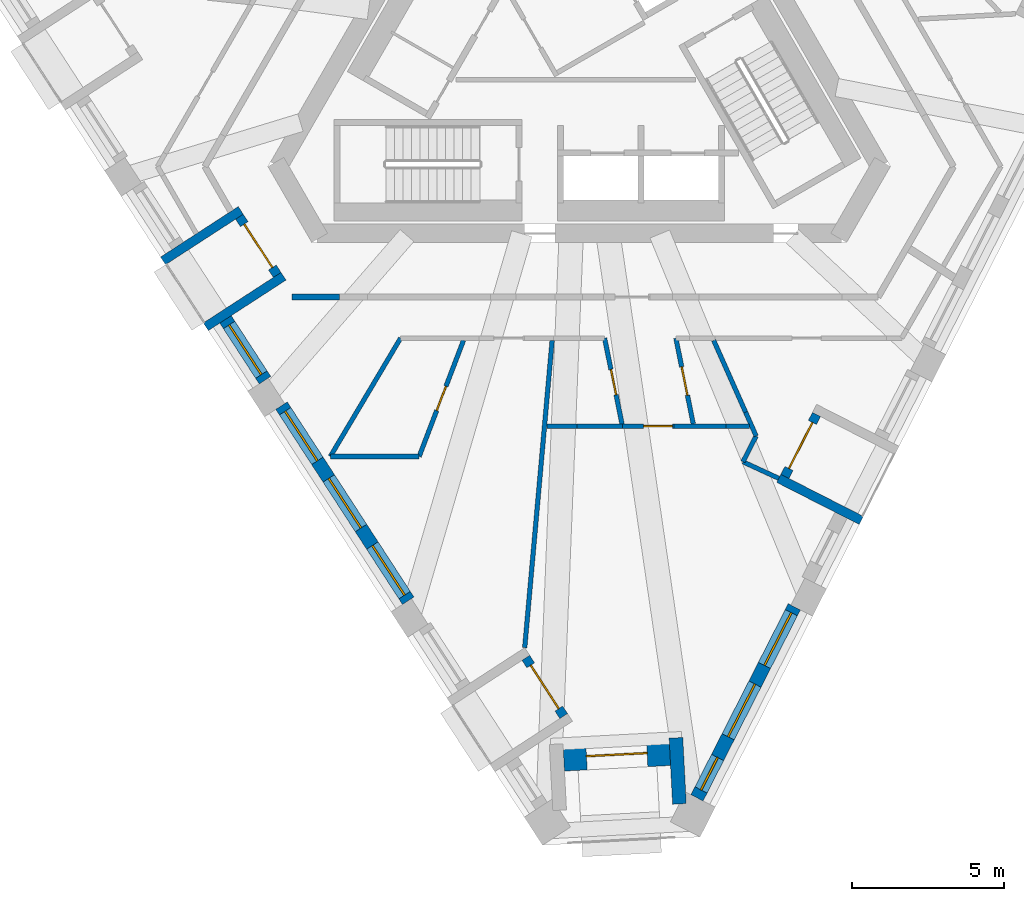
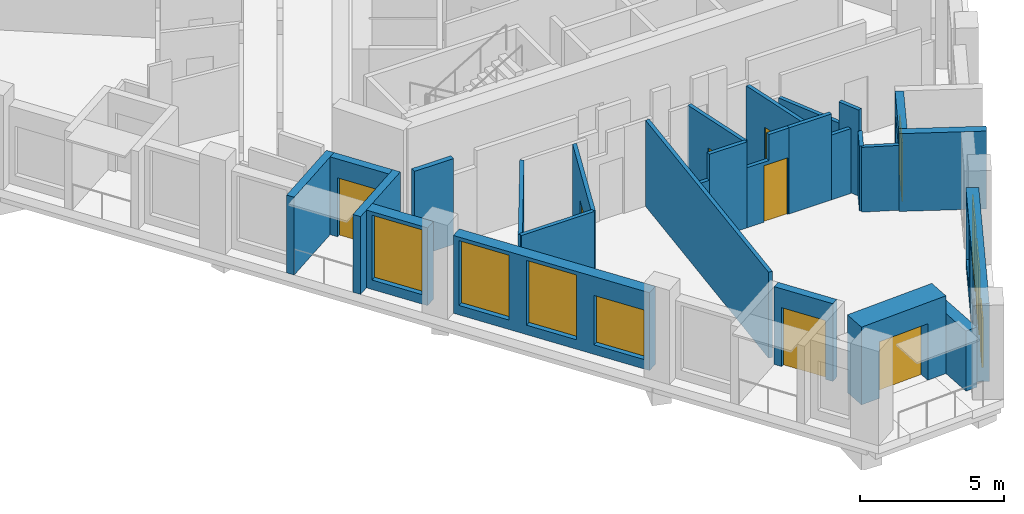
# One storey, part 2 of 13: 27 walls, 8 doors, 7 windows, 15 openings.
"""IFC4 building model written with IfcOpenShell, lengths in metres."""

from ifc_helpers import new_model, si_unit, direction, frame, frame_2d, origin, place, context, subcontext, project, spatial, polyline, rectangle, outline, extrude, material, layer, layer_set, type_object, element, fill, save


model = new_model("IFC4")

# Units and contexts
model_context = context("Model", 3, precision=1e-05, world=origin(), true_north=direction((0.0, 1.0)))
body_context = subcontext(model_context, "Body", "Model", "MODEL_VIEW")
ifc_project = project(units=[si_unit("LENGTHUNIT", "METRE"), si_unit("AREAUNIT", "SQUARE_METRE"), si_unit("VOLUMEUNIT", "CUBIC_METRE"), si_unit("PLANEANGLEUNIT", "RADIAN"), si_unit("MASSUNIT", "GRAM", prefix="KILO")], contexts=[model_context])

# Site, building, storey
site_placement = place(None, origin())
site = spatial("IfcSite", under=ifc_project, at=site_placement, CompositionType="ELEMENT")
building_placement = place(site_placement, origin())
building = spatial("IfcBuilding", under=site, at=building_placement, Name="Tramontana Tower", CompositionType="ELEMENT")
storey_placement = place(building_placement, frame((0.0, 0.0, 290.39990234375)))
storey = spatial("IfcBuildingStorey", under=building, at=storey_placement, Name="L68", CompositionType="ELEMENT", Elevation=290.39990234375)

# Wall
ifc_material_1 = material(Name="Blockwork", Category="masonry")
ifc_layer_1 = layer(ifc_material_1, 0.199951171875)
ifc_layer_set_1 = layer_set([ifc_layer_1], Name="ENTRY WALL 200")
wall_type_1 = type_object("IfcWallType", Name="ENTRY WALL 200", PredefinedType="SOLIDWALL", material=ifc_layer_set_1)
wall_1_placement = place(storey_placement, frame((-7.89599609375, -8.550048828125, 0.0), z_axis=(0.0, 0.0, 1.0), x_axis=(-1.0, 0.0, 0.0)))
element("IfcWall", 1, at=wall_1_placement, inside=storey, type_object=wall_type_1, Name="Wall v71-ew1-11", PredefinedType="SOLIDWALL", context=body_context, shape_type="SweptSolid", body=[
    extrude(rectangle(XDim=1.569580078125, YDim=0.199951171875, at=frame_2d((0.78466796875, 0.0))), origin(), (0.0, 0.0, 1.0), 3.650146484375),
])

# Wall, opening, window
ifc_material_2 = material(Name="Precast concrete 60 MPa", Category="concrete")
ifc_layer_2 = layer(ifc_material_2, 0.449951171875)
ifc_layer_set_2 = layer_set([ifc_layer_2], Name="Precast concrete 60 MPa, 450 mm")
wall_type_2 = type_object("IfcWallType", Name="EW1 Stone-faced precast wall 450", PredefinedType="SOLIDWALL", material=ifc_layer_set_2)
wall_2_placement = place(storey_placement, frame((-11.647216796875, -9.284912109375, 0.0), z_axis=(0.0, 0.0, 1.0), x_axis=(0.544722247615, -0.838616523182, 0.0)))
wall_2 = element("IfcWall", 2, at=wall_2_placement, inside=storey, type_object=wall_type_2, Name="External wall L68 face 0 bay 3", PredefinedType="SOLIDWALL", context=body_context, shape_type="SweptSolid", body=[
    extrude(rectangle(XDim=2.38671875, YDim=0.449951171875, at=frame_2d((1.193359375, 0.0))), origin(), (0.0, 0.0, 1.0), 3.300048828125),
])
opening_1_placement = place(wall_2_placement, frame((0.21826171875, 0.0, 0.39990234375)))
opening_1 = element("IfcOpeningElement", 3, at=opening_1_placement, cuts=wall_2, Name="Opening M3", PredefinedType="OPENING", context=body_context, shape_type="SweptSolid", body=[
    extrude(rectangle(XDim=1.949951171875, YDim=2.75, at=frame_2d((0.97509765625, 1.375))), frame((0.0, 0.23486328125, 0.0), z_axis=(0.0, -1.0, 0.0), x_axis=(1.0, 0.0, 0.0)), (0.0, 0.0, 1.0), 0.469970703125),
])
ifc_material_3 = material(Name="Aluminum frame, double glazing unit", Category="aluminium")
window_type_1 = type_object("IfcWindowType", Name="M3 Window 1.95 x 2.75", PartitioningType="SINGLE_PANEL", PredefinedType="WINDOW", material=ifc_material_3)
window_1_placement = place(opening_1_placement, origin())
window_1 = element("IfcWindow", 4, at=window_1_placement, inside=storey, type_object=window_type_1, Name="Window M3 L68 face 0 module 9", OverallHeight=2.75, OverallWidth=1.949951171875, PartitioningType="SINGLE_PANEL", PredefinedType="WINDOW", context=body_context, shape_type="SweptSolid", body=[
    extrude(rectangle(XDim=1.949951171875, YDim=2.75, at=frame_2d((0.97509765625, 1.375))), frame((0.0, 0.030029296875, 0.0), z_axis=(0.0, -1.0, 0.0), x_axis=(1.0, 0.0, 0.0)), (0.0, 0.0, 1.0), 0.06005859375),
])
fill(opening_1, window_1)

# Wall, openings, windows
wall_3_placement = place(storey_placement, frame((-9.802734375, -12.125244140625, 0.0), z_axis=(0.0, 0.0, 1.0), x_axis=(0.544649987904, -0.838663454954, 0.0)))
wall_3 = element("IfcWall", 5, at=wall_3_placement, inside=storey, type_object=wall_type_2, Name="External wall L68 face 0 bay 4", PredefinedType="SOLIDWALL", context=body_context, shape_type="SweptSolid", body=[
    extrude(rectangle(XDim=7.66015625, YDim=0.449951171875, at=frame_2d((3.830078125, 0.0))), origin(), (0.0, 0.0, 1.0), 3.300048828125),
])
opening_2_placement = place(wall_3_placement, frame((0.21826171875, 0.0, 0.39990234375)))
opening_2 = element("IfcOpeningElement", 6, at=opening_2_placement, cuts=wall_3, Name="Opening M3", PredefinedType="OPENING", context=body_context, shape_type="SweptSolid", body=[
    extrude(rectangle(XDim=1.949951171875, YDim=2.75, at=frame_2d((0.97509765625, 1.375))), frame((0.0, 0.23486328125, 0.0), z_axis=(0.0, -1.0, 0.0), x_axis=(1.0, 0.0, 0.0)), (0.0, 0.0, 1.0), 0.469970703125),
])
opening_3_placement = place(wall_3_placement, frame((2.855224609375, 0.0, 0.39990234375)))
opening_3 = element("IfcOpeningElement", 7, at=opening_3_placement, cuts=wall_3, Name="Opening M3", PredefinedType="OPENING", context=body_context, shape_type="SweptSolid", body=[
    extrude(rectangle(XDim=1.949951171875, YDim=2.75, at=frame_2d((0.97509765625, 1.375))), frame((0.0, 0.23486328125, 0.0), z_axis=(0.0, -1.0, 0.0), x_axis=(1.0, 0.0, 0.0)), (0.0, 0.0, 1.0), 0.469970703125),
])
opening_4_placement = place(wall_3_placement, frame((5.491943359375, 0.0, 0.39990234375)))
opening_4 = element("IfcOpeningElement", 8, at=opening_4_placement, cuts=wall_3, Name="Opening M3L", PredefinedType="OPENING", context=body_context, shape_type="SweptSolid", body=[
    extrude(rectangle(XDim=1.949951171875, YDim=2.10009765625, at=frame_2d((0.97509765625, 1.050048828125))), frame((0.0, 0.23486328125, 0.0), z_axis=(0.0, -1.0, 0.0), x_axis=(1.0, 0.0, 0.0)), (0.0, 0.0, 1.0), 0.469970703125),
])
window_2_placement = place(opening_2_placement, origin())
window_2 = element("IfcWindow", 9, at=window_2_placement, inside=storey, type_object=window_type_1, Name="Window M3 L68 face 0 module 10", OverallHeight=2.75, OverallWidth=1.949951171875, PartitioningType="SINGLE_PANEL", PredefinedType="WINDOW", context=body_context, shape_type="SweptSolid", body=[
    extrude(rectangle(XDim=1.949951171875, YDim=2.75, at=frame_2d((0.97509765625, 1.375))), frame((0.0, 0.030029296875, 0.0), z_axis=(0.0, -1.0, 0.0), x_axis=(1.0, 0.0, 0.0)), (0.0, 0.0, 1.0), 0.06005859375),
])
fill(opening_2, window_2)
window_3_placement = place(opening_3_placement, origin())
window_3 = element("IfcWindow", 10, at=window_3_placement, inside=storey, type_object=window_type_1, Name="Window M3 L68 face 0 module 11", OverallHeight=2.75, OverallWidth=1.949951171875, PartitioningType="SINGLE_PANEL", PredefinedType="WINDOW", context=body_context, shape_type="SweptSolid", body=[
    extrude(rectangle(XDim=1.949951171875, YDim=2.75, at=frame_2d((0.97509765625, 1.375))), frame((0.0, 0.030029296875, 0.0), z_axis=(0.0, -1.0, 0.0), x_axis=(1.0, 0.0, 0.0)), (0.0, 0.0, 1.0), 0.06005859375),
])
fill(opening_3, window_3)
ifc_material_4 = material(Name="Aluminum frame, double glazing unit", Category="aluminium")
window_type_2 = type_object("IfcWindowType", Name="M3L Window 1.95 x 2.1", PartitioningType="SINGLE_PANEL", PredefinedType="WINDOW", material=ifc_material_4)
window_4_placement = place(opening_4_placement, origin())
window_4 = element("IfcWindow", 11, at=window_4_placement, inside=storey, type_object=window_type_2, Name="Window M3L L68 face 0 module 12", OverallHeight=2.10009765625, OverallWidth=1.949951171875, PartitioningType="SINGLE_PANEL", PredefinedType="WINDOW", context=body_context, shape_type="SweptSolid", body=[
    extrude(rectangle(XDim=1.949951171875, YDim=2.10009765625, at=frame_2d((0.97509765625, 1.050048828125))), frame((0.0, 0.030029296875, 0.0), z_axis=(0.0, -1.0, 0.0), x_axis=(1.0, 0.0, 0.0)), (0.0, 0.0, 1.0), 0.06005859375),
])
fill(opening_4, window_4)

wall_4_placement = place(storey_placement, frame((3.87939453125, -25.041259765625, 0.0), z_axis=(0.0, 0.0, 1.0), x_axis=(0.453992084912, 0.891005716501, 0.0)))
wall_4 = element("IfcWall", 12, at=wall_4_placement, inside=storey, type_object=wall_type_2, Name="External wall L68 face 1 bay 1", PredefinedType="SOLIDWALL", context=body_context, shape_type="SweptSolid", body=[
    extrude(rectangle(XDim=7.060302734375, YDim=0.449951171875, at=frame_2d((3.5302734375, 0.0))), origin(), (0.0, 0.0, 1.0), 3.300048828125),
])
opening_5_placement = place(wall_4_placement, frame((0.29345703125, 0.0, 0.39990234375)))
opening_5 = element("IfcOpeningElement", 13, at=opening_5_placement, cuts=wall_4, Name="Opening N3L", PredefinedType="OPENING", context=body_context, shape_type="SweptSolid", body=[
    extrude(rectangle(XDim=1.199951171875, YDim=2.10009765625, at=frame_2d((0.60009765625, 1.050048828125))), frame((0.0, 0.23486328125, 0.0), z_axis=(0.0, -1.0, 0.0), x_axis=(1.0, 0.0, 0.0)), (0.0, 0.0, 1.0), 0.469970703125),
])
opening_6_placement = place(wall_4_placement, frame((2.255126953125, 0.0, 0.39990234375)))
opening_6 = element("IfcOpeningElement", 14, at=opening_6_placement, cuts=wall_4, Name="Opening M3", PredefinedType="OPENING", context=body_context, shape_type="SweptSolid", body=[
    extrude(rectangle(XDim=1.949951171875, YDim=2.75, at=frame_2d((0.97509765625, 1.375))), frame((0.0, 0.23486328125, 0.0), z_axis=(0.0, -1.0, 0.0), x_axis=(1.0, 0.0, 0.0)), (0.0, 0.0, 1.0), 0.469970703125),
])
opening_7_placement = place(wall_4_placement, frame((4.891845703125, 0.0, 0.39990234375)))
opening_7 = element("IfcOpeningElement", 15, at=opening_7_placement, cuts=wall_4, Name="Opening M3", PredefinedType="OPENING", context=body_context, shape_type="SweptSolid", body=[
    extrude(rectangle(XDim=1.949951171875, YDim=2.75, at=frame_2d((0.97509765625, 1.375))), frame((0.0, 0.23486328125, 0.0), z_axis=(0.0, -1.0, 0.0), x_axis=(1.0, 0.0, 0.0)), (0.0, 0.0, 1.0), 0.469970703125),
])
window_5_placement = place(opening_6_placement, origin())
window_5 = element("IfcWindow", 16, at=window_5_placement, inside=storey, type_object=window_type_1, Name="Window M3 L68 face 1 module 2", OverallHeight=2.75, OverallWidth=1.949951171875, PartitioningType="SINGLE_PANEL", PredefinedType="WINDOW", context=body_context, shape_type="SweptSolid", body=[
    extrude(rectangle(XDim=1.949951171875, YDim=2.75, at=frame_2d((0.97509765625, 1.375))), frame((0.0, 0.030029296875, 0.0), z_axis=(0.0, -1.0, 0.0), x_axis=(1.0, 0.0, 0.0)), (0.0, 0.0, 1.0), 0.06005859375),
])
fill(opening_6, window_5)
window_6_placement = place(opening_7_placement, origin())
window_6 = element("IfcWindow", 17, at=window_6_placement, inside=storey, type_object=window_type_1, Name="Window M3 L68 face 1 module 3", OverallHeight=2.75, OverallWidth=1.949951171875, PartitioningType="SINGLE_PANEL", PredefinedType="WINDOW", context=body_context, shape_type="SweptSolid", body=[
    extrude(rectangle(XDim=1.949951171875, YDim=2.75, at=frame_2d((0.97509765625, 1.375))), frame((0.0, 0.030029296875, 0.0), z_axis=(0.0, -1.0, 0.0), x_axis=(1.0, 0.0, 0.0)), (0.0, 0.0, 1.0), 0.06005859375),
])
fill(opening_7, window_6)
ifc_material_5 = material(Name="Aluminum frame, double glazing unit", Category="aluminium")
window_type_3 = type_object("IfcWindowType", Name="N3L Window 1.2 x 2.1", PartitioningType="SINGLE_PANEL", PredefinedType="WINDOW", material=ifc_material_5)
window_7_placement = place(opening_5_placement, origin())
window_7 = element("IfcWindow", 18, at=window_7_placement, inside=storey, type_object=window_type_3, Name="Window N3L L68 face 1 module 1", OverallHeight=2.10009765625, OverallWidth=1.199951171875, PartitioningType="SINGLE_PANEL", PredefinedType="WINDOW", context=body_context, shape_type="SweptSolid", body=[
    extrude(rectangle(XDim=1.199951171875, YDim=2.10009765625, at=frame_2d((0.60009765625, 1.050048828125))), frame((0.0, 0.030029296875, 0.0), z_axis=(0.0, -1.0, 0.0), x_axis=(1.0, 0.0, 0.0)), (0.0, 0.0, 1.0), 0.06005859375),
])
fill(opening_5, window_7)

# Wall
wall_5_placement = place(storey_placement, frame((3.300537109375, -25.240966796875, 0.0), z_axis=(0.0, 0.0, 1.0), x_axis=(-0.052323605405, 0.998630181958, 0.0)))
element("IfcWall", 19, at=wall_5_placement, inside=storey, type_object=wall_type_2, Name="Corner loggia side wall L68 K71l", PredefinedType="SOLIDWALL", context=body_context, shape_type="SweptSolid", body=[
    extrude(rectangle(XDim=2.178955078125, YDim=0.449951171875, at=frame_2d((1.08935546875, 0.0))), origin(), (0.0, 0.0, 1.0), 2.550048828125),
])

# Wall, opening, door
ifc_material_6 = material(Name="Precast concrete 60 MPa", Category="concrete")
ifc_layer_3 = layer(ifc_material_6, 0.89990234375)
ifc_layer_set_3 = layer_set([ifc_layer_3], Name="EW2 Stone-faced corner loggia wall 900")
wall_type_3 = type_object("IfcWallType", Name="EW2 Stone-faced corner loggia wall 900", PredefinedType="SOLIDWALL", material=ifc_layer_set_3)
wall_6_placement = place(storey_placement, frame((2.9853515625, -23.52587890625, 0.0), z_axis=(0.0, 0.0, 1.0), x_axis=(-0.998626871225, -0.0523867547, 0.0)))
wall_6 = element("IfcWall", 20, at=wall_6_placement, inside=storey, type_object=wall_type_3, Name="Corner loggia wall L68 K71", PredefinedType="SOLIDWALL", context=body_context, shape_type="SweptSolid", body=[
    extrude(rectangle(XDim=3.5, YDim=0.89990234375, at=frame_2d((1.75, 0.0))), origin(), (0.0, 0.0, 1.0), 3.300048828125),
])
opening_8_placement = place(wall_6_placement, frame((0.75, 0.0, 0.0)))
opening_8 = element("IfcOpeningElement", 21, at=opening_8_placement, cuts=wall_6, Name="Opening BD-71C", PredefinedType="OPENING", context=body_context, shape_type="SweptSolid", body=[
    extrude(rectangle(XDim=2.0, YDim=2.39990234375, at=frame_2d((1.0, 1.199951171875))), frame((0.0, 0.4599609375, 0.0), z_axis=(0.0, -1.0, 0.0), x_axis=(1.0, 0.0, 0.0)), (0.0, 0.0, 1.0), 0.919921875),
])
ifc_material_7 = material(Name="Aluminum frame, double glazing unit", Category="aluminium")
door_type_1 = type_object("IfcDoorType", Name="BC1 Sliding door 2 x 2.4", OperationType="SLIDING_TO_LEFT", PredefinedType="DOOR", material=ifc_material_7)
door_1_placement = place(opening_8_placement, origin())
door_1 = element("IfcDoor", 22, at=door_1_placement, inside=storey, type_object=door_type_1, Name="Corner loggia door L68 K71", OperationType="SLIDING_TO_LEFT", OverallHeight=2.39990234375, OverallWidth=2.0, PredefinedType="DOOR", context=body_context, shape_type="SweptSolid", body=[
    extrude(rectangle(XDim=2.0, YDim=2.39990234375, at=frame_2d((1.0, 1.199951171875))), frame((0.0, 0.02490234375, 0.0), z_axis=(0.0, -1.0, 0.0), x_axis=(1.0, 0.0, 0.0)), (0.0, 0.0, 1.0), 0.050048828125),
])
fill(opening_8, door_1)

ifc_material_8 = material(Name="Precast concrete 60 MPa", Category="concrete")
ifc_layer_4 = layer(ifc_material_8, 0.300048828125)
ifc_layer_set_4 = layer_set([ifc_layer_4], Name="LW1 Stone-faced loggia wall 300")
wall_type_4 = type_object("IfcWallType", Name="LW1 Stone-faced loggia wall 300", PredefinedType="SOLIDWALL", material=ifc_layer_set_4)
wall_7_placement = place(storey_placement, frame((-11.18994140625, -5.903564453125, 0.0), z_axis=(0.0, 0.0, 1.0), x_axis=(0.544631777146, -0.838675281216, 0.0)))
wall_7 = element("IfcWall", 23, at=wall_7_placement, inside=storey, type_object=wall_type_4, Name="Loggia wall L68 G7S0.7", PredefinedType="SOLIDWALL", context=body_context, shape_type="SweptSolid", body=[
    extrude(rectangle(XDim=2.28662109375, YDim=0.300048828125, at=frame_2d((1.143310546875, 0.0))), origin(), (0.0, 0.0, 1.0), 3.300048828125),
])
opening_9_placement = place(wall_7_placement, frame((0.29345703125, 0.0, 0.0)))
opening_9 = element("IfcOpeningElement", 24, at=opening_9_placement, cuts=wall_7, Name="Opening BD-7S0-07", PredefinedType="OPENING", context=body_context, shape_type="SweptSolid", body=[
    extrude(rectangle(XDim=1.699951171875, YDim=2.5, at=frame_2d((0.85009765625, 1.25))), frame((0.0, 0.159912109375, 0.0), z_axis=(0.0, -1.0, 0.0), x_axis=(1.0, 0.0, 0.0)), (0.0, 0.0, 1.0), 0.320068359375),
])
ifc_material_9 = material(Name="Aluminum frame, double glazing unit", Category="aluminium")
door_type_2 = type_object("IfcDoorType", Name="BD3 Sliding door 1.7 x 2.5", OperationType="SLIDING_TO_LEFT", PredefinedType="DOOR", material=ifc_material_9)
door_2_placement = place(opening_9_placement, origin())
door_2 = element("IfcDoor", 25, at=door_2_placement, inside=storey, type_object=door_type_2, Name="Loggia door L68 G7S0.7", OperationType="SLIDING_TO_LEFT", OverallHeight=2.5, OverallWidth=1.699951171875, PredefinedType="DOOR", context=body_context, shape_type="SweptSolid", body=[
    extrude(rectangle(XDim=1.699951171875, YDim=2.5, at=frame_2d((0.85009765625, 1.25))), frame((0.0, 0.02490234375, 0.0), z_axis=(0.0, -1.0, 0.0), x_axis=(1.0, 0.0, 0.0)), (0.0, 0.0, 1.0), 0.050048828125),
])
fill(opening_9, door_2)

# Walls
wall_8_placement = place(storey_placement, frame((-13.703857421875, -7.357177734375, 0.0), z_axis=(0.0, 0.0, 1.0), x_axis=(0.838688583525, 0.544611292451, 0.0)))
element("IfcWall", 26, at=wall_8_placement, inside=storey, type_object=wall_type_4, Name="Loggia return L68 G7S0.7a", PredefinedType="SOLIDWALL", context=body_context, shape_type="SweptSolid", body=[
    extrude(rectangle(XDim=3.050048828125, YDim=0.300048828125, at=frame_2d((1.52490234375, 0.0))), origin(), (0.0, 0.0, 1.0), 3.300048828125),
])
wall_9_placement = place(storey_placement, frame((-12.294921875, -9.526611328125, 0.0), z_axis=(0.0, 0.0, 1.0), x_axis=(0.838664840319, 0.544647854685, 0.0)))
element("IfcWall", 27, at=wall_9_placement, inside=storey, type_object=wall_type_4, Name="Loggia return L68 G7S0.7b", PredefinedType="SOLIDWALL", context=body_context, shape_type="SweptSolid", body=[
    extrude(rectangle(XDim=3.0498046875, YDim=0.300048828125, at=frame_2d((1.52490234375, 0.0))), origin(), (0.0, 0.0, 1.0), 3.300048828125),
])

# Wall, opening, door
wall_10_placement = place(storey_placement, frame((-1.756591796875, -20.4296875, 0.0), z_axis=(0.0, 0.0, 1.0), x_axis=(0.544658103125, -0.838658184662, 0.0)))
wall_10 = element("IfcWall", 28, at=wall_10_placement, inside=storey, type_object=wall_type_4, Name="Loggia wall L68 G7S0.13", PredefinedType="SOLIDWALL", context=body_context, shape_type="SweptSolid", body=[
    extrude(rectangle(XDim=2.286865234375, YDim=0.300048828125, at=frame_2d((1.1435546875, 0.0))), origin(), (0.0, 0.0, 1.0), 3.300048828125),
])
opening_10_placement = place(wall_10_placement, frame((0.29345703125, 0.0, 0.0)))
opening_10 = element("IfcOpeningElement", 29, at=opening_10_placement, cuts=wall_10, Name="Opening BD-7S0-13", PredefinedType="OPENING", context=body_context, shape_type="SweptSolid", body=[
    extrude(rectangle(XDim=1.699951171875, YDim=2.5, at=frame_2d((0.85009765625, 1.25))), frame((0.0, 0.159912109375, 0.0), z_axis=(0.0, -1.0, 0.0), x_axis=(1.0, 0.0, 0.0)), (0.0, 0.0, 1.0), 0.320068359375),
])
door_3_placement = place(opening_10_placement, origin())
door_3 = element("IfcDoor", 30, at=door_3_placement, inside=storey, type_object=door_type_2, Name="Loggia door L68 G7S0.13", OperationType="SLIDING_TO_LEFT", OverallHeight=2.5, OverallWidth=1.699951171875, PredefinedType="DOOR", context=body_context, shape_type="SweptSolid", body=[
    extrude(rectangle(XDim=1.699951171875, YDim=2.5, at=frame_2d((0.85009765625, 1.25))), frame((0.0, 0.02490234375, 0.0), z_axis=(0.0, -1.0, 0.0), x_axis=(1.0, 0.0, 0.0)), (0.0, 0.0, 1.0), 0.050048828125),
])
fill(opening_10, door_3)

wall_11_placement = place(storey_placement, frame((6.77587890625, -14.455322265625, 0.0), z_axis=(0.0, 0.0, 1.0), x_axis=(0.454076116559, 0.890962895058, 0.0)))
wall_11 = element("IfcWall", 31, at=wall_11_placement, inside=storey, type_object=wall_type_4, Name="Loggia wall L68 G7S1.4", PredefinedType="SOLIDWALL", context=body_context, shape_type="SweptSolid", body=[
    extrude(rectangle(XDim=2.28662109375, YDim=0.300048828125, at=frame_2d((1.143310546875, 0.0))), origin(), (0.0, 0.0, 1.0), 3.300048828125),
])
opening_11_placement = place(wall_11_placement, frame((0.29345703125, 0.0, 0.0)))
opening_11 = element("IfcOpeningElement", 32, at=opening_11_placement, cuts=wall_11, Name="Opening BD-7S1-04", PredefinedType="OPENING", context=body_context, shape_type="SweptSolid", body=[
    extrude(rectangle(XDim=1.699951171875, YDim=2.5, at=frame_2d((0.85009765625, 1.25))), frame((0.0, 0.159912109375, 0.0), z_axis=(0.0, -1.0, 0.0), x_axis=(1.0, 0.0, 0.0)), (0.0, 0.0, 1.0), 0.320068359375),
])
door_4_placement = place(opening_11_placement, origin())
door_4 = element("IfcDoor", 33, at=door_4_placement, inside=storey, type_object=door_type_2, Name="Loggia door L68 G7S1.4", OperationType="SLIDING_TO_LEFT", OverallHeight=2.5, OverallWidth=1.699951171875, PredefinedType="DOOR", context=body_context, shape_type="SweptSolid", body=[
    extrude(rectangle(XDim=1.699951171875, YDim=2.5, at=frame_2d((0.85009765625, 1.25))), frame((0.0, 0.02490234375, 0.0), z_axis=(0.0, -1.0, 0.0), x_axis=(1.0, 0.0, 0.0)), (0.0, 0.0, 1.0), 0.050048828125),
])
fill(opening_11, door_4)

# Walls
wall_12_placement = place(storey_placement, frame((9.291748046875, -15.905517578125, 0.0), z_axis=(0.0, 0.0, 1.0), x_axis=(-0.891023613249, 0.453956959009, 0.0)))
element("IfcWall", 34, at=wall_12_placement, inside=storey, type_object=wall_type_4, Name="Loggia return L68 G7S1.4a", PredefinedType="SOLIDWALL", context=body_context, shape_type="SweptSolid", body=[
    extrude(rectangle(XDim=3.0498046875, YDim=0.300048828125, at=frame_2d((1.52490234375, 0.0))), origin(), (0.0, 0.0, 1.0), 3.300048828125),
])
ifc_material_10 = material(Name="Gypsum board partition")
ifc_layer_5 = layer(ifc_material_10, 0.14990234375)
ifc_layer_set_5 = layer_set([ifc_layer_5], Name="PARTITION 150")
wall_type_5 = type_object("IfcWallType", Name="PARTITION 150", PredefinedType="PARTITIONING", material=ifc_layer_set_5)
wall_13_placement = place(storey_placement, frame((-5.8818359375, -9.90185546875, 0.0), z_axis=(0.0, 0.0, 1.0), x_axis=(-0.510505146046, -0.859874697767, 0.0)))
element("IfcWall", 35, at=wall_13_placement, inside=storey, type_object=wall_type_5, Name="Wall v71-pw13", PredefinedType="PARTITIONING", context=body_context, shape_type="SweptSolid", body=[
    extrude(rectangle(XDim=4.53173828125, YDim=0.14990234375, at=frame_2d((2.265869140625, 0.0))), origin(), (0.0, 0.0, 1.0), 3.650146484375),
])
wall_14_placement = place(storey_placement, frame((-5.270263671875, -13.800048828125, 0.0), z_axis=(0.0, 0.0, 1.0), x_axis=(-1.0, 0.0, 0.0)))
element("IfcWall", 36, at=wall_14_placement, inside=storey, type_object=wall_type_5, Name="Wall v71-pw15", PredefinedType="PARTITIONING", context=body_context, shape_type="SweptSolid", body=[
    extrude(rectangle(XDim=2.92236328125, YDim=0.14990234375, at=frame_2d((1.461181640625, 0.0))), origin(), (0.0, 0.0, 1.0), 3.650146484375),
])

# Wall, opening, door
wall_15_placement = place(storey_placement, frame((-5.270263671875, -13.800048828125, 0.0), z_axis=(0.0, 0.0, 1.0), x_axis=(0.356756445124, 0.934197430345, 0.0)))
wall_15 = element("IfcWall", 37, at=wall_15_placement, inside=storey, type_object=wall_type_5, Name="Wall v71-pw18", PredefinedType="PARTITIONING", context=body_context, shape_type="SweptSolid", body=[
    extrude(rectangle(XDim=4.094482421875, YDim=0.14990234375, at=frame_2d((2.04736328125, 0.0))), origin(), (0.0, 0.0, 1.0), 3.650146484375),
])
opening_12_placement = place(wall_15_placement, frame((1.622314453125, 0.0, 0.0)))
opening_12 = element("IfcOpeningElement", 38, at=opening_12_placement, cuts=wall_15, Name="Opening B7B-12", PredefinedType="OPENING", context=body_context, shape_type="SweptSolid", body=[
    extrude(rectangle(XDim=0.85009765625, YDim=2.39990234375, at=frame_2d((0.425048828125, 1.199951171875))), frame((0.0, 0.0849609375, 0.0), z_axis=(0.0, -1.0, 0.0), x_axis=(1.0, 0.0, 0.0)), (0.0, 0.0, 1.0), 0.169921875),
])
ifc_material_11 = material(Name="Painted timber", Category="wood")
door_type_3 = type_object("IfcDoorType", Name="DOOR BATH 850", OperationType="SINGLE_SWING_LEFT", PredefinedType="DOOR", material=ifc_material_11)
door_5_placement = place(opening_12_placement, origin())
door_5 = element("IfcDoor", 39, at=door_5_placement, inside=storey, type_object=door_type_3, Name="Door B7B-12", OperationType="SINGLE_SWING_RIGHT", OverallHeight=2.39990234375, OverallWidth=0.85009765625, PredefinedType="DOOR", context=body_context, shape_type="SweptSolid", body=[
    extrude(rectangle(XDim=0.85009765625, YDim=2.39990234375, at=frame_2d((0.425048828125, 1.199951171875))), frame((0.0, 0.02490234375, 0.0), z_axis=(0.0, -1.0, 0.0), x_axis=(1.0, 0.0, 0.0)), (0.0, 0.0, 1.0), 0.050048828125),
])
fill(opening_12, door_5)

# Wall
wall_16_placement = place(storey_placement, frame((-1.794189453125, -20.096435546875, 0.0), z_axis=(0.0, 0.0, 1.0), x_axis=(0.088919594422, 0.99603880734, 0.0)))
element("IfcWall", 40, at=wall_16_placement, inside=storey, type_object=wall_type_5, Name="Wall v71-pw19", PredefinedType="PARTITIONING", context=body_context, shape_type="SweptSolid", body=[
    extrude(rectangle(XDim=10.16162109375, YDim=0.14990234375, at=frame_2d((5.080810546875, 0.0))), origin(), (0.0, 0.0, 1.0), 3.650146484375),
])

# Wall, opening, door
wall_17_placement = place(storey_placement, frame((1.423828125, -12.797119140625, 0.0), z_axis=(0.0, 0.0, 1.0), x_axis=(-0.198929649616, 0.980013772609, 0.0)))
wall_17 = element("IfcWall", 41, at=wall_17_placement, inside=storey, type_object=wall_type_5, Name="Wall v71-pw22", PredefinedType="PARTITIONING", context=body_context, shape_type="SweptSolid", body=[
    extrude(rectangle(XDim=2.952880859375, YDim=0.14990234375, at=frame_2d((1.4765625, 0.0))), origin(), (0.0, 0.0, 1.0), 3.650146484375),
])
opening_13_placement = place(wall_17_placement, frame((1.051513671875, 0.0, 0.0)))
opening_13 = element("IfcOpeningElement", 42, at=opening_13_placement, cuts=wall_17, Name="Opening B7B-08", PredefinedType="OPENING", context=body_context, shape_type="SweptSolid", body=[
    extrude(rectangle(XDim=0.85009765625, YDim=2.39990234375, at=frame_2d((0.425048828125, 1.199951171875))), frame((0.0, 0.0849609375, 0.0), z_axis=(0.0, -1.0, 0.0), x_axis=(1.0, 0.0, 0.0)), (0.0, 0.0, 1.0), 0.169921875),
])
door_6_placement = place(opening_13_placement, origin())
door_6 = element("IfcDoor", 43, at=door_6_placement, inside=storey, type_object=door_type_3, Name="Door B7B-08", OperationType="SINGLE_SWING_RIGHT", OverallHeight=2.39990234375, OverallWidth=0.85009765625, PredefinedType="DOOR", context=body_context, shape_type="SweptSolid", body=[
    extrude(rectangle(XDim=0.85009765625, YDim=2.39990234375, at=frame_2d((0.425048828125, 1.199951171875))), frame((0.0, 0.02490234375, 0.0), z_axis=(0.0, -1.0, 0.0), x_axis=(1.0, 0.0, 0.0)), (0.0, 0.0, 1.0), 0.050048828125),
])
fill(opening_13, door_6)

wall_18_placement = place(storey_placement, frame((3.183837890625, -9.90478515625, 0.0), z_axis=(0.0, 0.0, 1.0), x_axis=(0.198872768009, -0.980025317094, 0.0)))
wall_18 = element("IfcWall", 44, at=wall_18_placement, inside=storey, type_object=wall_type_5, Name="Wall v71-pw23", PredefinedType="PARTITIONING", context=body_context, shape_type="SweptSolid", body=[
    extrude(rectangle(XDim=2.87744140625, YDim=0.14990234375, at=frame_2d((1.438720703125, 0.0))), origin(), (0.0, 0.0, 1.0), 3.650146484375),
])
opening_14_placement = place(wall_18_placement, frame((0.9638671875, 0.0, 0.0)))
opening_14 = element("IfcOpeningElement", 45, at=opening_14_placement, cuts=wall_18, Name="Opening B7B-07", PredefinedType="OPENING", context=body_context, shape_type="SweptSolid", body=[
    extrude(rectangle(XDim=0.949951171875, YDim=2.39990234375, at=frame_2d((0.47509765625, 1.199951171875))), frame((0.0, 0.0849609375, 0.0), z_axis=(0.0, -1.0, 0.0), x_axis=(1.0, 0.0, 0.0)), (0.0, 0.0, 1.0), 0.169921875),
])
ifc_material_12 = material(Name="Painted timber", Category="wood")
door_type_4 = type_object("IfcDoorType", Name="DOOR ROOM 950", OperationType="SINGLE_SWING_LEFT", PredefinedType="DOOR", material=ifc_material_12)
door_7_placement = place(opening_14_placement, origin())
door_7 = element("IfcDoor", 46, at=door_7_placement, inside=storey, type_object=door_type_4, Name="Door B7B-07", OperationType="SINGLE_SWING_LEFT", OverallHeight=2.39990234375, OverallWidth=0.949951171875, PredefinedType="DOOR", context=body_context, shape_type="SweptSolid", body=[
    extrude(rectangle(XDim=0.949951171875, YDim=2.39990234375, at=frame_2d((0.47509765625, 1.199951171875))), frame((0.0, 0.02490234375, 0.0), z_axis=(0.0, -1.0, 0.0), x_axis=(1.0, 0.0, 0.0)), (0.0, 0.0, 1.0), 0.050048828125),
])
fill(opening_14, door_7)

# Walls
wall_19_placement = place(storey_placement, frame((4.428466796875, -9.97509765625, 0.0), z_axis=(0.0, 0.0, 1.0), x_axis=(0.405814676305, -0.913955386491, 0.0)))
element("IfcWall", 47, at=wall_19_placement, inside=storey, type_object=wall_type_5, Name="Wall v71-pw25-0", PredefinedType="PARTITIONING", context=body_context, shape_type="SweptSolid", body=[
    extrude(rectangle(XDim=2.588623046875, YDim=0.14990234375, at=frame_2d((1.29443359375, 0.0))), origin(), (0.0, 0.0, 1.0), 2.75),
])
wall_20_placement = place(storey_placement, frame((5.47900390625, -12.341064453125, 0.0), z_axis=(0.0, 0.0, 1.0), x_axis=(0.405821136731, -0.913952517904, 0.0)))
element("IfcWall", 48, at=wall_20_placement, inside=storey, type_object=wall_type_5, Name="Wall v71-pw25-1", PredefinedType="PARTITIONING", context=body_context, shape_type="SweptSolid", body=[
    extrude(rectangle(XDim=0.856689453125, YDim=0.14990234375, at=frame_2d((0.42822265625, 0.0))), origin(), (0.0, 0.0, 1.0), 3.650146484375),
])
wall_21_placement = place(storey_placement, frame((5.394775390625, -13.976318359375, 0.0), z_axis=(0.0, 0.0, 1.0), x_axis=(0.907865857733, -0.419260759388, 0.0)))
element("IfcWall", 49, at=wall_21_placement, inside=storey, type_object=wall_type_5, Name="Wall v71-pw26-0", PredefinedType="PARTITIONING", context=body_context, shape_type="SweptSolid", body=[
    extrude(rectangle(XDim=1.299072265625, YDim=0.14990234375, at=frame_2d((0.6494140625, 0.0))), origin(), (0.0, 0.0, 1.0), 2.75),
])
wall_22_placement = place(storey_placement, frame((5.6005859375, -12.800048828125, 0.0), z_axis=(0.0, 0.0, 1.0), x_axis=(-1.0, 0.0, 0.0)))
element("IfcWall", 50, at=wall_22_placement, inside=storey, type_object=wall_type_5, Name="Wall v71-pw27-0", PredefinedType="PARTITIONING", context=body_context, shape_type="SweptSolid", body=[
    extrude(rectangle(XDim=0.77099609375, YDim=0.14990234375, at=frame_2d((0.385498046875, 0.0))), origin(), (0.0, 0.0, 1.0), 2.75),
])
wall_23_placement = place(storey_placement, frame((4.82958984375, -12.800048828125, 0.0), z_axis=(0.0, 0.0, 1.0), x_axis=(-1.0, 0.0, 0.0)))
element("IfcWall", 51, at=wall_23_placement, inside=storey, type_object=wall_type_5, Name="Wall v71-pw27-1", PredefinedType="PARTITIONING", context=body_context, shape_type="SweptSolid", body=[
    extrude(rectangle(XDim=1.70703125, YDim=0.14990234375, at=frame_2d((0.853515625, 0.0))), origin(), (0.0, 0.0, 1.0), 3.650146484375),
])

# Wall, opening, door
wall_24_placement = place(storey_placement, frame((3.12255859375, -12.800048828125, 0.0), z_axis=(0.0, 0.0, 1.0), x_axis=(-1.0, 0.0, 0.0)))
wall_24 = element("IfcWall", 52, at=wall_24_placement, inside=storey, type_object=wall_type_5, Name="Wall v71-pw27-2", PredefinedType="PARTITIONING", context=body_context, shape_type="SweptSolid", body=[
    extrude(outline(polyline([(0.0, 0.0), (1.693359375, 0.0), (1.693359375, 2.550048828125), (0.80908203125, 2.550048828125), (0.80908203125, 3.650146484375), (0.0, 3.650146484375), (0.0, 0.0)])), frame((0.0, 0.074951171875, 0.0), z_axis=(0.0, -1.0, 0.0), x_axis=(1.0, 0.0, 0.0)), (0.0, 0.0, 1.0), 0.14990234375),
])
opening_15_placement = place(wall_24_placement, frame((0.050048828125, 0.0, 0.0)))
opening_15 = element("IfcOpeningElement", 53, at=opening_15_placement, cuts=wall_24, Name="Opening B7B-09", PredefinedType="OPENING", context=body_context, shape_type="SweptSolid", body=[
    extrude(rectangle(XDim=0.949951171875, YDim=2.39990234375, at=frame_2d((0.47509765625, 1.199951171875))), frame((0.0, 0.0849609375, 0.0), z_axis=(0.0, -1.0, 0.0), x_axis=(1.0, 0.0, 0.0)), (0.0, 0.0, 1.0), 0.169921875),
])
door_8_placement = place(opening_15_placement, origin())
door_8 = element("IfcDoor", 54, at=door_8_placement, inside=storey, type_object=door_type_4, Name="Door B7B-09", OperationType="SINGLE_SWING_LEFT", OverallHeight=2.39990234375, OverallWidth=0.949951171875, PredefinedType="DOOR", context=body_context, shape_type="SweptSolid", body=[
    extrude(rectangle(XDim=0.949951171875, YDim=2.39990234375, at=frame_2d((0.47509765625, 1.199951171875))), frame((0.0, 0.02490234375, 0.0), z_axis=(0.0, -1.0, 0.0), x_axis=(1.0, 0.0, 0.0)), (0.0, 0.0, 1.0), 0.050048828125),
])
fill(opening_15, door_8)

# Walls
wall_25_placement = place(storey_placement, frame((1.42919921875, -12.800048828125, 0.0), z_axis=(0.0, 0.0, 1.0), x_axis=(-1.0, 0.0, 0.0)))
element("IfcWall", 55, at=wall_25_placement, inside=storey, type_object=wall_type_5, Name="Wall v71-pw27-3", PredefinedType="PARTITIONING", context=body_context, shape_type="SweptSolid", body=[
    extrude(rectangle(XDim=1.509521484375, YDim=0.14990234375, at=frame_2d((0.7548828125, 0.0))), origin(), (0.0, 0.0, 1.0), 3.650146484375),
])
wall_26_placement = place(storey_placement, frame((-0.080322265625, -12.800048828125, 0.0), z_axis=(0.0, 0.0, 1.0), x_axis=(-1.0, 0.0, 0.0)))
element("IfcWall", 56, at=wall_26_placement, inside=storey, type_object=wall_type_5, Name="Wall v71-pw27-4", PredefinedType="PARTITIONING", context=body_context, shape_type="SweptSolid", body=[
    extrude(rectangle(XDim=0.987060546875, YDim=0.14990234375, at=frame_2d((0.49365234375, 0.0))), origin(), (0.0, 0.0, 1.0), 2.550048828125),
])
wall_27_placement = place(storey_placement, frame((5.82666015625, -13.124267578125, 0.0), z_axis=(0.0, 0.0, 1.0), x_axis=(-0.454063887125, -0.890969127641, 0.0)))
element("IfcWall", 57, at=wall_27_placement, inside=storey, type_object=wall_type_5, Name="Wall v71-pw28-0", PredefinedType="PARTITIONING", context=body_context, shape_type="SweptSolid", body=[
    extrude(rectangle(XDim=0.953369140625, YDim=0.14990234375, at=frame_2d((0.4765625, 0.0))), origin(), (0.0, 0.0, 1.0), 2.75),
])

save(model, "model.ifc")
